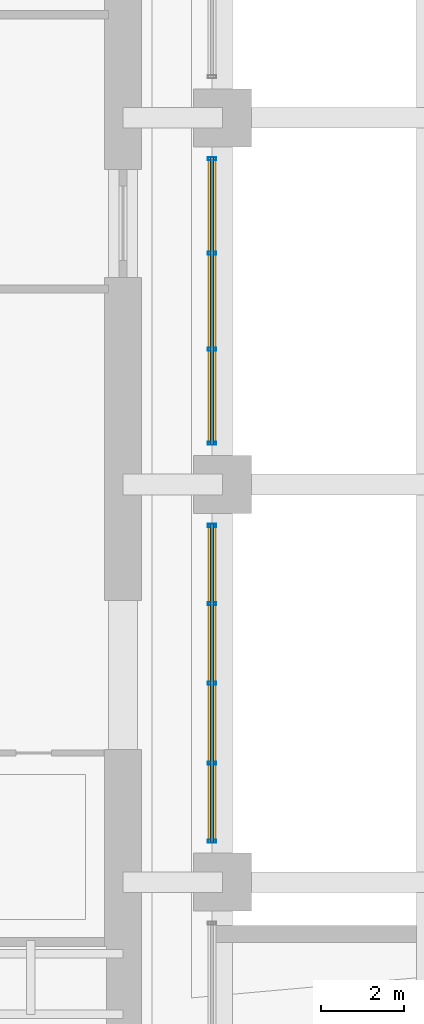
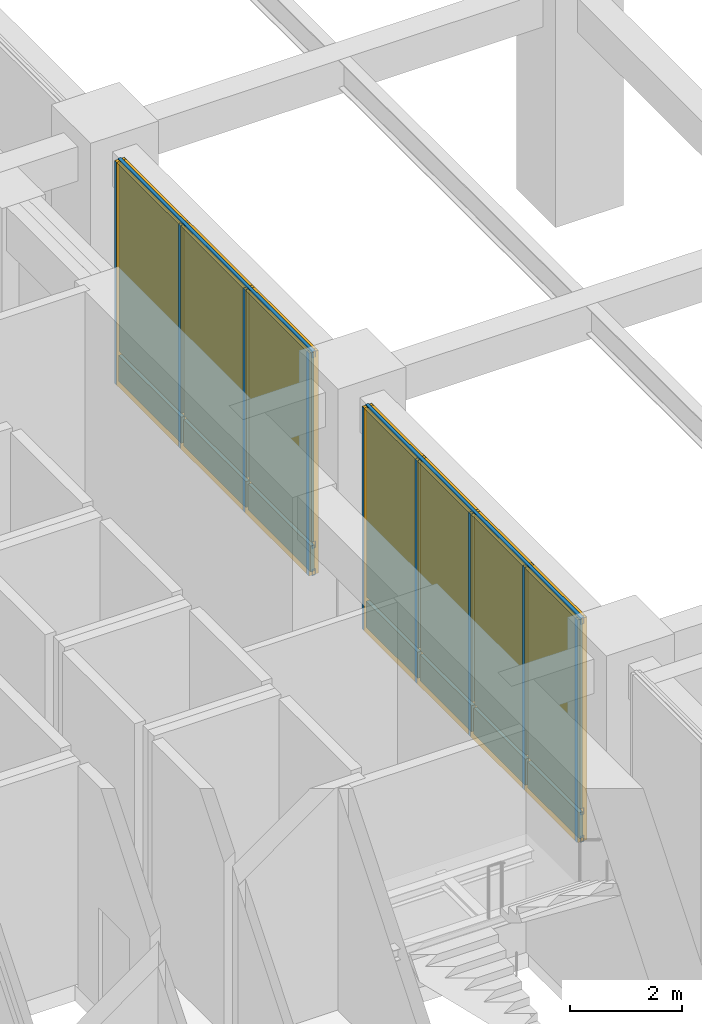
# One storey, part 11 of 22: 15 members, 14 plates, 2 curtain walls.
"""IFC4 building model written with IfcOpenShell, lengths in metres."""

from ifc_helpers import new_model, si_unit, direction, frame, frame_2d, origin, origin_2d, place, context, subcontext, project, spatial, rectangle, hollow_rectangle, extrude, material, layer, layer_set, material_profile, profile_set, type_object, element, aggregate, save


model = new_model("IFC4")

# Units and contexts
model_context = context("Model", 3, precision=1e-05, world=origin(), true_north=direction((0.0, 1.0)))
body_context = subcontext(model_context, "Body", "Model", "MODEL_VIEW")
ifc_project = project(units=[si_unit("LENGTHUNIT", "METRE"), si_unit("AREAUNIT", "SQUARE_METRE"), si_unit("VOLUMEUNIT", "CUBIC_METRE"), si_unit("PLANEANGLEUNIT", "RADIAN"), si_unit("MASSUNIT", "GRAM", prefix="KILO")], contexts=[model_context])

# Member
ifc_material_1 = material(Name="Anodized Aluminium 6063-T6", Category="aluminium")
ifc_material_profile_1 = material_profile(ifc_material_1, hollow_rectangle(XDim=0.074951171875, YDim=0.199951171875, WallThickness=0.00390625, at=origin_2d()), Name="Anodized Aluminium 6063-T6")
ifc_profile_set_1 = profile_set([ifc_material_profile_1], Name="Anodized Aluminium 6063-T6")
member_type_1 = type_object("IfcMemberType", Name="Curtain Wall Mullion 200", PredefinedType="MULLION", material=ifc_profile_set_1)
site_placement = place(None, origin())
building_placement = place(site_placement, origin())
storey_placement = place(building_placement, frame((0.0, 0.0, 5.199951171875)))
member_1_placement = place(storey_placement, frame((18.949951171875, 20.18994140625, 0.0), z_axis=(0.0, 0.0, 1.0), x_axis=(0.0, 1.0, 0.0)))
member_1 = element("IfcMember", 1, at=member_1_placement, type_object=member_type_1, Name="Curtain Wall Mullion CW-L01-LOB-S2-M01", PredefinedType="MULLION", context=body_context, shape_type="SweptSolid", body=[
    extrude(hollow_rectangle(XDim=0.074951171875, YDim=0.199951171875, WallThickness=0.00390625, at=origin_2d()), origin(), (0.0, 0.0, 1.0), 4.860107421875),
])

member_2_placement = place(storey_placement, frame((18.949951171875, 22.074951171875, 0.0), z_axis=(0.0, 0.0, 1.0), x_axis=(0.0, 1.0, 0.0)))
member_2 = element("IfcMember", 2, at=member_2_placement, type_object=member_type_1, Name="Curtain Wall Mullion CW-L01-LOB-S2-M02", PredefinedType="MULLION", context=body_context, shape_type="SweptSolid", body=[
    extrude(hollow_rectangle(XDim=0.074951171875, YDim=0.199951171875, WallThickness=0.00390625, at=origin_2d()), origin(), (0.0, 0.0, 1.0), 4.860107421875),
])

member_3_placement = place(storey_placement, frame((18.949951171875, 24.0, 0.0), z_axis=(0.0, 0.0, 1.0), x_axis=(0.0, 1.0, 0.0)))
member_3 = element("IfcMember", 3, at=member_3_placement, type_object=member_type_1, Name="Curtain Wall Mullion CW-L01-LOB-S2-M03", PredefinedType="MULLION", context=body_context, shape_type="SweptSolid", body=[
    extrude(hollow_rectangle(XDim=0.074951171875, YDim=0.199951171875, WallThickness=0.00390625, at=origin_2d()), origin(), (0.0, 0.0, 1.0), 4.860107421875),
])

member_4_placement = place(storey_placement, frame((18.949951171875, 25.925048828125, 0.0), z_axis=(0.0, 0.0, 1.0), x_axis=(0.0, 1.0, 0.0)))
member_4 = element("IfcMember", 4, at=member_4_placement, type_object=member_type_1, Name="Curtain Wall Mullion CW-L01-LOB-S2-M04", PredefinedType="MULLION", context=body_context, shape_type="SweptSolid", body=[
    extrude(hollow_rectangle(XDim=0.074951171875, YDim=0.199951171875, WallThickness=0.00390625, at=origin_2d()), origin(), (0.0, 0.0, 1.0), 4.860107421875),
])

member_5_placement = place(storey_placement, frame((18.949951171875, 27.81005859375, 0.0), z_axis=(0.0, 0.0, 1.0), x_axis=(0.0, 1.0, 0.0)))
member_5 = element("IfcMember", 5, at=member_5_placement, type_object=member_type_1, Name="Curtain Wall Mullion CW-L01-LOB-S2-M05", PredefinedType="MULLION", context=body_context, shape_type="SweptSolid", body=[
    extrude(hollow_rectangle(XDim=0.074951171875, YDim=0.199951171875, WallThickness=0.00390625, at=origin_2d()), origin(), (0.0, 0.0, 1.0), 4.860107421875),
])

member_6_placement = place(storey_placement, frame((18.949951171875, 29.7900390625, 0.0), z_axis=(0.0, 0.0, 1.0), x_axis=(0.0, 1.0, 0.0)))
member_6 = element("IfcMember", 6, at=member_6_placement, type_object=member_type_1, Name="Curtain Wall Mullion CW-L01-LOB-S3-M01", PredefinedType="MULLION", context=body_context, shape_type="SweptSolid", body=[
    extrude(hollow_rectangle(XDim=0.074951171875, YDim=0.199951171875, WallThickness=0.00390625, at=origin_2d()), origin(), (0.0, 0.0, 1.0), 4.860107421875),
])

member_7_placement = place(storey_placement, frame((18.949951171875, 32.066650390625, 0.0), z_axis=(0.0, 0.0, 1.0), x_axis=(0.0, 1.0, 0.0)))
member_7 = element("IfcMember", 7, at=member_7_placement, type_object=member_type_1, Name="Curtain Wall Mullion CW-L01-LOB-S3-M02", PredefinedType="MULLION", context=body_context, shape_type="SweptSolid", body=[
    extrude(hollow_rectangle(XDim=0.074951171875, YDim=0.199951171875, WallThickness=0.00390625, at=origin_2d()), origin(), (0.0, 0.0, 1.0), 4.860107421875),
])

member_8_placement = place(storey_placement, frame((18.949951171875, 34.38330078125, 0.0), z_axis=(0.0, 0.0, 1.0), x_axis=(0.0, 1.0, 0.0)))
member_8 = element("IfcMember", 8, at=member_8_placement, type_object=member_type_1, Name="Curtain Wall Mullion CW-L01-LOB-S3-M03", PredefinedType="MULLION", context=body_context, shape_type="SweptSolid", body=[
    extrude(hollow_rectangle(XDim=0.074951171875, YDim=0.199951171875, WallThickness=0.00390625, at=origin_2d()), origin(), (0.0, 0.0, 1.0), 4.860107421875),
])

member_9_placement = place(storey_placement, frame((18.949951171875, 36.659912109375, 0.0), z_axis=(0.0, 0.0, 1.0), x_axis=(0.0, 1.0, 0.0)))
member_9 = element("IfcMember", 9, at=member_9_placement, type_object=member_type_1, Name="Curtain Wall Mullion CW-L01-LOB-S3-M04", PredefinedType="MULLION", context=body_context, shape_type="SweptSolid", body=[
    extrude(hollow_rectangle(XDim=0.074951171875, YDim=0.199951171875, WallThickness=0.00390625, at=origin_2d()), origin(), (0.0, 0.0, 1.0), 4.860107421875),
])

ifc_material_profile_2 = material_profile(ifc_material_1, hollow_rectangle(XDim=0.06494140625, YDim=0.139892578125, WallThickness=0.00341796875, at=origin_2d()), Name="Anodized Aluminium 6063-T6")
ifc_profile_set_2 = profile_set([ifc_material_profile_2], Name="Anodized Aluminium 6063-T6")
member_type_2 = type_object("IfcMemberType", Name="Curtain Wall Transom 140", PredefinedType="USERDEFINED", material=ifc_profile_set_2)
member_10_placement = place(storey_placement, frame((18.949951171875, 20.14990234375, 0.050048828125), z_axis=(0.0, 1.0, 0.0), x_axis=(-1.0, 0.0, 0.0)))
member_10 = element("IfcMember", 10, at=member_10_placement, type_object=member_type_2, Name="Curtain Wall Transom CW-L01-LOB-S2-T01", ObjectType="TRANSOM", PredefinedType="USERDEFINED", context=body_context, shape_type="SweptSolid", body=[
    extrude(hollow_rectangle(XDim=0.06494140625, YDim=0.139892578125, WallThickness=0.00341796875, at=origin_2d()), origin(), (0.0, 0.0, 1.0), 7.7001953125),
])

member_11_placement = place(storey_placement, frame((18.949951171875, 20.14990234375, 0.650146484375), z_axis=(0.0, 1.0, 0.0), x_axis=(-1.0, 0.0, 0.0)))
member_11 = element("IfcMember", 11, at=member_11_placement, type_object=member_type_2, Name="Curtain Wall Transom CW-L01-LOB-S2-T02", ObjectType="TRANSOM", PredefinedType="USERDEFINED", context=body_context, shape_type="SweptSolid", body=[
    extrude(hollow_rectangle(XDim=0.06494140625, YDim=0.139892578125, WallThickness=0.00341796875, at=origin_2d()), origin(), (0.0, 0.0, 1.0), 7.7001953125),
])

member_12_placement = place(storey_placement, frame((18.949951171875, 20.14990234375, 4.81005859375), z_axis=(0.0, 1.0, 0.0), x_axis=(-1.0, 0.0, 0.0)))
member_12 = element("IfcMember", 12, at=member_12_placement, type_object=member_type_2, Name="Curtain Wall Transom CW-L01-LOB-S2-T03", ObjectType="TRANSOM", PredefinedType="USERDEFINED", context=body_context, shape_type="SweptSolid", body=[
    extrude(hollow_rectangle(XDim=0.06494140625, YDim=0.139892578125, WallThickness=0.00341796875, at=origin_2d()), origin(), (0.0, 0.0, 1.0), 7.7001953125),
])

member_13_placement = place(storey_placement, frame((18.949951171875, 29.75, 0.050048828125), z_axis=(0.0, 1.0, 0.0), x_axis=(-1.0, 0.0, 0.0)))
member_13 = element("IfcMember", 13, at=member_13_placement, type_object=member_type_2, Name="Curtain Wall Transom CW-L01-LOB-S3-T01", ObjectType="TRANSOM", PredefinedType="USERDEFINED", context=body_context, shape_type="SweptSolid", body=[
    extrude(hollow_rectangle(XDim=0.06494140625, YDim=0.139892578125, WallThickness=0.00341796875, at=origin_2d()), origin(), (0.0, 0.0, 1.0), 6.949951171875),
])

member_14_placement = place(storey_placement, frame((18.949951171875, 29.75, 0.650146484375), z_axis=(0.0, 1.0, 0.0), x_axis=(-1.0, 0.0, 0.0)))
member_14 = element("IfcMember", 14, at=member_14_placement, type_object=member_type_2, Name="Curtain Wall Transom CW-L01-LOB-S3-T02", ObjectType="TRANSOM", PredefinedType="USERDEFINED", context=body_context, shape_type="SweptSolid", body=[
    extrude(hollow_rectangle(XDim=0.06494140625, YDim=0.139892578125, WallThickness=0.00341796875, at=origin_2d()), origin(), (0.0, 0.0, 1.0), 6.949951171875),
])

member_15_placement = place(storey_placement, frame((18.949951171875, 29.75, 4.81005859375), z_axis=(0.0, 1.0, 0.0), x_axis=(-1.0, 0.0, 0.0)))
member_15 = element("IfcMember", 15, at=member_15_placement, type_object=member_type_2, Name="Curtain Wall Transom CW-L01-LOB-S3-T03", ObjectType="TRANSOM", PredefinedType="USERDEFINED", context=body_context, shape_type="SweptSolid", body=[
    extrude(hollow_rectangle(XDim=0.06494140625, YDim=0.139892578125, WallThickness=0.00341796875, at=origin_2d()), origin(), (0.0, 0.0, 1.0), 6.949951171875),
])

# Plate
ifc_material_2 = material(Name="Bird-Friendly Fritted Triple Glazing", Category="glass")
ifc_layer_1 = layer(ifc_material_2, 0.052001953125, Name="Bird-Friendly Fritted Triple Glazing")
ifc_layer_set_1 = layer_set([ifc_layer_1], Name="Bird-Friendly Fritted Triple Glazing")
plate_type_1 = type_object("IfcPlateType", Name="Plate CWGlazing 52", PredefinedType="CURTAIN_PANEL", material=ifc_layer_set_1)
plate_1_placement = place(storey_placement, frame((18.949951171875, 21.112548828125, 0.690185546875), z_axis=(0.0, 0.0, 1.0), x_axis=(0.0, 1.0, 0.0)))
plate_1 = element("IfcPlate", 16, at=plate_1_placement, type_object=plate_type_1, Name="Vision Glazing Panel CW-L01-LOB-S2-GL01", PredefinedType="CURTAIN_PANEL", context=body_context, shape_type="SweptSolid", body=[
    extrude(rectangle(XDim=1.844970703125, YDim=0.052001953125, at=origin_2d()), origin(), (0.0, 0.0, 1.0), 4.1298828125),
])

plate_2_placement = place(storey_placement, frame((18.949951171875, 23.03759765625, 0.690185546875), z_axis=(0.0, 0.0, 1.0), x_axis=(0.0, 1.0, 0.0)))
plate_2 = element("IfcPlate", 17, at=plate_2_placement, type_object=plate_type_1, Name="Vision Glazing Panel CW-L01-LOB-S2-GL02", PredefinedType="CURTAIN_PANEL", context=body_context, shape_type="SweptSolid", body=[
    extrude(rectangle(XDim=1.844970703125, YDim=0.052001953125, at=origin_2d()), origin(), (0.0, 0.0, 1.0), 4.1298828125),
])

plate_3_placement = place(storey_placement, frame((18.949951171875, 24.96240234375, 0.690185546875), z_axis=(0.0, 0.0, 1.0), x_axis=(0.0, 1.0, 0.0)))
plate_3 = element("IfcPlate", 18, at=plate_3_placement, type_object=plate_type_1, Name="Vision Glazing Panel CW-L01-LOB-S2-GL03", PredefinedType="CURTAIN_PANEL", context=body_context, shape_type="SweptSolid", body=[
    extrude(rectangle(XDim=1.844970703125, YDim=0.052001953125, at=origin_2d()), origin(), (0.0, 0.0, 1.0), 4.1298828125),
])

plate_4_placement = place(storey_placement, frame((18.949951171875, 26.887451171875, 0.690185546875), z_axis=(0.0, 0.0, 1.0), x_axis=(0.0, 1.0, 0.0)))
plate_4 = element("IfcPlate", 19, at=plate_4_placement, type_object=plate_type_1, Name="Vision Glazing Panel CW-L01-LOB-S2-GL04", PredefinedType="CURTAIN_PANEL", context=body_context, shape_type="SweptSolid", body=[
    extrude(rectangle(XDim=1.844970703125, YDim=0.052001953125, at=origin_2d()), origin(), (0.0, 0.0, 1.0), 4.1298828125),
])

plate_5_placement = place(storey_placement, frame((18.949951171875, 30.908203125, 0.690185546875), z_axis=(0.0, 0.0, 1.0), x_axis=(0.0, 1.0, 0.0)))
plate_5 = element("IfcPlate", 20, at=plate_5_placement, type_object=plate_type_1, Name="Vision Glazing Panel CW-L01-LOB-S3-GL01", PredefinedType="CURTAIN_PANEL", context=body_context, shape_type="SweptSolid", body=[
    extrude(rectangle(XDim=2.23681640625, YDim=0.052001953125, at=origin_2d()), origin(), (0.0, 0.0, 1.0), 4.1298828125),
])

plate_6_placement = place(storey_placement, frame((18.949951171875, 33.22509765625, 0.690185546875), z_axis=(0.0, 0.0, 1.0), x_axis=(0.0, 1.0, 0.0)))
plate_6 = element("IfcPlate", 21, at=plate_6_placement, type_object=plate_type_1, Name="Vision Glazing Panel CW-L01-LOB-S3-GL02", PredefinedType="CURTAIN_PANEL", context=body_context, shape_type="SweptSolid", body=[
    extrude(rectangle(XDim=2.23681640625, YDim=0.052001953125, at=origin_2d()), origin(), (0.0, 0.0, 1.0), 4.1298828125),
])

plate_7_placement = place(storey_placement, frame((18.949951171875, 35.541748046875, 0.690185546875), z_axis=(0.0, 0.0, 1.0), x_axis=(0.0, 1.0, 0.0)))
plate_7 = element("IfcPlate", 22, at=plate_7_placement, type_object=plate_type_1, Name="Vision Glazing Panel CW-L01-LOB-S3-GL03", PredefinedType="CURTAIN_PANEL", context=body_context, shape_type="SweptSolid", body=[
    extrude(rectangle(XDim=2.23681640625, YDim=0.052001953125, at=origin_2d()), origin(), (0.0, 0.0, 1.0), 4.1298828125),
])

ifc_material_3 = material(Name="Insulated Aluminium Spandrel Panel", Category="aluminium")
ifc_layer_2 = layer(ifc_material_3, 0.080078125, Name="Insulated Aluminium Spandrel Panel")
ifc_layer_set_2 = layer_set([ifc_layer_2], Name="Insulated Aluminium Spandrel Panel")
plate_type_2 = type_object("IfcPlateType", Name="Plate CWSpandrel 80", PredefinedType="SHEET", material=ifc_layer_set_2)
plate_8_placement = place(storey_placement, frame((18.949951171875, 21.112548828125, 0.0400390625), z_axis=(0.0, 0.0, 1.0), x_axis=(0.0, 1.0, 0.0)))
plate_8 = element("IfcPlate", 23, at=plate_8_placement, type_object=plate_type_2, Name="Spandrel Panel CW-L01-LOB-S2-SP01", PredefinedType="SHEET", context=body_context, shape_type="SweptSolid", body=[
    extrude(rectangle(XDim=1.844970703125, YDim=0.080078125, at=origin_2d()), origin(), (0.0, 0.0, 1.0), 0.570068359375),
])

plate_9_placement = place(storey_placement, frame((18.949951171875, 23.03759765625, 0.0400390625), z_axis=(0.0, 0.0, 1.0), x_axis=(0.0, 1.0, 0.0)))
plate_9 = element("IfcPlate", 24, at=plate_9_placement, type_object=plate_type_2, Name="Spandrel Panel CW-L01-LOB-S2-SP02", PredefinedType="SHEET", context=body_context, shape_type="SweptSolid", body=[
    extrude(rectangle(XDim=1.844970703125, YDim=0.080078125, at=origin_2d()), origin(), (0.0, 0.0, 1.0), 0.570068359375),
])

plate_10_placement = place(storey_placement, frame((18.949951171875, 24.96240234375, 0.0400390625), z_axis=(0.0, 0.0, 1.0), x_axis=(0.0, 1.0, 0.0)))
plate_10 = element("IfcPlate", 25, at=plate_10_placement, type_object=plate_type_2, Name="Spandrel Panel CW-L01-LOB-S2-SP03", PredefinedType="SHEET", context=body_context, shape_type="SweptSolid", body=[
    extrude(rectangle(XDim=1.844970703125, YDim=0.080078125, at=origin_2d()), origin(), (0.0, 0.0, 1.0), 0.570068359375),
])

plate_11_placement = place(storey_placement, frame((18.949951171875, 26.887451171875, 0.0400390625), z_axis=(0.0, 0.0, 1.0), x_axis=(0.0, 1.0, 0.0)))
plate_11 = element("IfcPlate", 26, at=plate_11_placement, type_object=plate_type_2, Name="Spandrel Panel CW-L01-LOB-S2-SP04", PredefinedType="SHEET", context=body_context, shape_type="SweptSolid", body=[
    extrude(rectangle(XDim=1.844970703125, YDim=0.080078125, at=origin_2d()), origin(), (0.0, 0.0, 1.0), 0.570068359375),
])

plate_12_placement = place(storey_placement, frame((18.949951171875, 30.908203125, 0.0400390625), z_axis=(0.0, 0.0, 1.0), x_axis=(0.0, 1.0, 0.0)))
plate_12 = element("IfcPlate", 27, at=plate_12_placement, type_object=plate_type_2, Name="Spandrel Panel CW-L01-LOB-S3-SP01", PredefinedType="SHEET", context=body_context, shape_type="SweptSolid", body=[
    extrude(rectangle(XDim=2.23681640625, YDim=0.080078125, at=origin_2d()), origin(), (0.0, 0.0, 1.0), 0.570068359375),
])

plate_13_placement = place(storey_placement, frame((18.949951171875, 33.22509765625, 0.0400390625), z_axis=(0.0, 0.0, 1.0), x_axis=(0.0, 1.0, 0.0)))
plate_13 = element("IfcPlate", 28, at=plate_13_placement, type_object=plate_type_2, Name="Spandrel Panel CW-L01-LOB-S3-SP02", PredefinedType="SHEET", context=body_context, shape_type="SweptSolid", body=[
    extrude(rectangle(XDim=2.23681640625, YDim=0.080078125, at=origin_2d()), origin(), (0.0, 0.0, 1.0), 0.570068359375),
])

plate_14_placement = place(storey_placement, frame((18.949951171875, 35.541748046875, 0.0400390625), z_axis=(0.0, 0.0, 1.0), x_axis=(0.0, 1.0, 0.0)))
plate_14 = element("IfcPlate", 29, at=plate_14_placement, type_object=plate_type_2, Name="Spandrel Panel CW-L01-LOB-S3-SP03", PredefinedType="SHEET", context=body_context, shape_type="SweptSolid", body=[
    extrude(rectangle(XDim=2.23681640625, YDim=0.080078125, at=origin_2d()), origin(), (0.0, 0.0, 1.0), 0.570068359375),
])

# Site, building, storey
site = spatial("IfcSite", under=ifc_project, at=site_placement, CompositionType="ELEMENT")
building = spatial("IfcBuilding", under=site, at=building_placement, Name="Norrvale University Quadrangle", CompositionType="ELEMENT")
storey = spatial("IfcBuildingStorey", under=building, at=storey_placement, Name="L01", CompositionType="ELEMENT", Elevation=5.199951171875)

# Curtain wall
ifc_material_4 = material(Name="Anodized Aluminium and Triple Glazing", Category="glass")
curtain_wall_type = type_object("IfcCurtainWallType", Name="Curtain Wall System 1 Pilotis Lobby", PredefinedType="NOTDEFINED", material=ifc_material_4)
curtain_wall_1_placement = place(storey_placement, frame((18.949951171875, 20.14990234375, 0.0), z_axis=(0.0, 0.0, 1.0), x_axis=(0.0, 1.0, 0.0)))
curtain_wall_1 = element("IfcCurtainWall", 30, at=curtain_wall_1_placement, inside=storey, type_object=curtain_wall_type, Name="Curtain Wall CW System 1 Pilotis Lobby CW-L01-LOB-S2", PredefinedType="NOTDEFINED", context=body_context, shape_type="SweptSolid", body=[
    extrude(rectangle(XDim=7.7001953125, YDim=0.199951171875, at=frame_2d((3.85009765625, 0.0))), origin(), (0.0, 0.0, 1.0), 4.860107421875),
])

aggregate(curtain_wall_1, [member_1, member_2, member_3, member_4, member_5, member_10, member_11, member_12, plate_8, plate_1, plate_9, plate_2, plate_10, plate_3, plate_11, plate_4])

curtain_wall_2_placement = place(storey_placement, frame((18.949951171875, 29.75, 0.0), z_axis=(0.0, 0.0, 1.0), x_axis=(0.0, 1.0, 0.0)))
curtain_wall_2 = element("IfcCurtainWall", 31, at=curtain_wall_2_placement, inside=storey, type_object=curtain_wall_type, Name="Curtain Wall CW System 1 Pilotis Lobby CW-L01-LOB-S3", PredefinedType="NOTDEFINED", context=body_context, shape_type="SweptSolid", body=[
    extrude(rectangle(XDim=6.949951171875, YDim=0.199951171875, at=frame_2d((3.47509765625, 0.0))), origin(), (0.0, 0.0, 1.0), 4.860107421875),
])

aggregate(curtain_wall_2, [member_6, member_7, member_8, member_9, member_13, member_14, member_15, plate_12, plate_5, plate_13, plate_6, plate_14, plate_7])

save(model, "model.ifc")
